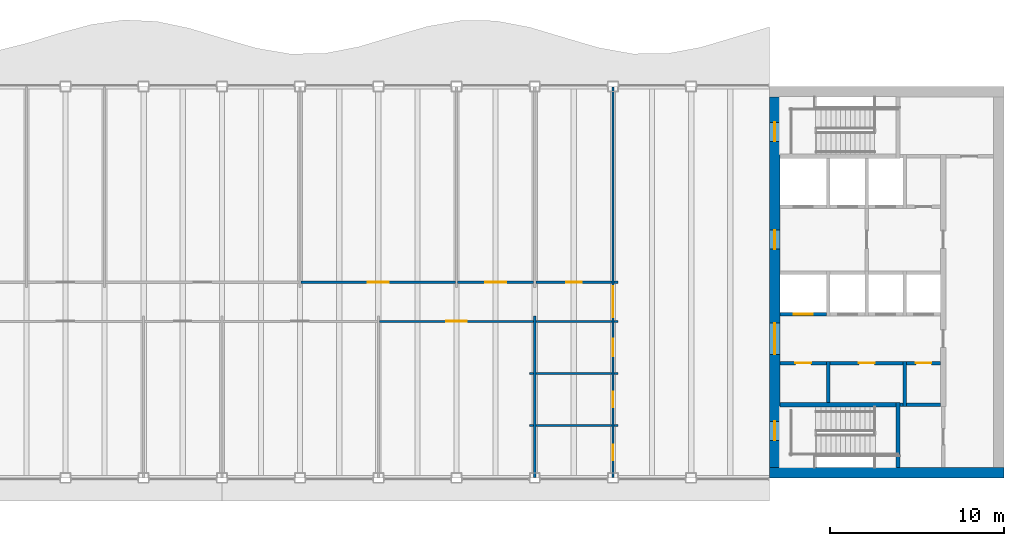
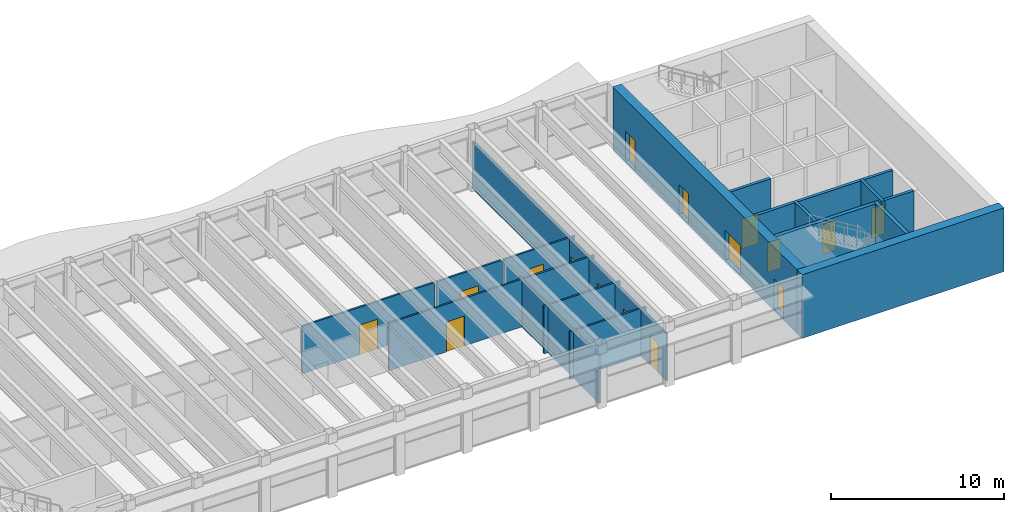
# One storey, part 9 of 14: 27 walls, 16 doors, 16 openings.
"""IFC4 building model written with IfcOpenShell, lengths in metres."""

import ifcopenshell
import ifcopenshell.guid

model = None  # the IFC model being written
_history = None  # IfcOwnerHistory: only IFC2X3 demands one
_inside = {}  # id of a spatial element -> (the spatial element, [elements in it])
_under = {}  # id of a project, library or spatial element -> (it, [spatial elements below it])
_declared = {}  # id of a project -> (the project, [libraries it declares])
_typed = {}  # id of a type object -> (the type object, [elements of that type])
_made_of = {}  # id of a material, layer set ... -> (it, [elements and type objects made of it])


def new_model(schema):
    """Start an empty IFC model of exactly this schema.

    Asked for "IFC4X3", IfcOpenShell would pick the latest addendum, in which some entities
    have other attributes; the version numbers below select the first issue.
    IFC2X3 requires an IfcOwnerHistory on every rooted entity: one is made here for all.
    """
    global model, _history
    if schema == "IFC4X3":
        model = ifcopenshell.file(schema_version=(4, 3, 0, 0))
    else:
        model = ifcopenshell.file(schema=schema)
    _inside.clear()
    _under.clear()
    _declared.clear()
    _typed.clear()
    _made_of.clear()
    _history = None
    if model.schema == "IFC2X3":
        org = make("IfcOrganization", Name="unknown")
        user = make(
            "IfcPersonAndOrganization",
            ThePerson=make("IfcPerson", FamilyName="unknown"),
            TheOrganization=org,
        )
        app = make(
            "IfcApplication",
            ApplicationDeveloper=org,
            Version="unknown",
            ApplicationFullName="unknown",
            ApplicationIdentifier="unknown",
        )
        _history = make(
            "IfcOwnerHistory",
            OwningUser=user,
            OwningApplication=app,
            ChangeAction="ADDED",
            CreationDate=0,
        )
    return model


def make(cls, **values):
    """One entity of the class cls with the attributes given. An attribute that is None is left unset."""
    return model.create_entity(
        cls, **{name: value for name, value in values.items() if value is not None}
    )


def rooted(cls, **values):
    """An entity with a GlobalId (a new one), such as an element, a storey or a relation."""
    return make(cls, GlobalId=ifcopenshell.guid.new(), OwnerHistory=_history, **values)


def si_unit(unit_type, name, prefix=None):
    """IfcSIUnit, for example si_unit("LENGTHUNIT", "METRE", prefix="MILLI")."""
    return make("IfcSIUnit", UnitType=unit_type, Prefix=prefix, Name=name)


def assignment(units):
    """IfcUnitAssignment: the units of a project."""
    return None if units is None else make("IfcUnitAssignment", Units=units)


def point(xyz):
    """IfcCartesianPoint."""
    return None if xyz is None else make("IfcCartesianPoint", Coordinates=xyz)


def direction(xyz):
    """IfcDirection."""
    return None if xyz is None else make("IfcDirection", DirectionRatios=xyz)


def frame(location, z_axis=None, x_axis=None):
    """IfcAxis2Placement3D, a coordinate frame: its origin and axes. An axis left out is left unset."""
    return make(
        "IfcAxis2Placement3D",
        Location=point(location),
        Axis=direction(z_axis),
        RefDirection=direction(x_axis),
    )


def frame_2d(location, x_axis=None):
    """IfcAxis2Placement2D, a coordinate frame in the plane: its origin and x axis."""
    return make(
        "IfcAxis2Placement2D", Location=point(location), RefDirection=direction(x_axis)
    )


def origin():
    """The frame at (0, 0, 0) with its axes left unset."""
    return frame((0.0, 0.0, 0.0))


def place(relative_to, where):
    """IfcLocalPlacement: puts the frame where relative to a parent placement (None: the world)."""
    return make(
        "IfcLocalPlacement", PlacementRelTo=relative_to, RelativePlacement=where
    )


def context(
    kind, dimensions, precision=None, world=None, true_north=None, identifier=None
):
    """IfcGeometricRepresentationContext, for example the 3D "Model" context."""
    return make(
        "IfcGeometricRepresentationContext",
        ContextIdentifier=identifier,
        ContextType=kind,
        CoordinateSpaceDimension=dimensions,
        Precision=precision,
        WorldCoordinateSystem=world,
        TrueNorth=true_north,
    )


def subcontext(parent, identifier, kind, view, scale=None):
    """IfcGeometricRepresentationSubContext, for example "Body" below "Model"."""
    return make(
        "IfcGeometricRepresentationSubContext",
        ContextIdentifier=identifier,
        ContextType=kind,
        ParentContext=parent,
        TargetScale=scale,
        TargetView=view,
    )


def project(units=None, contexts=None):
    """IfcProject with its units and contexts."""
    return rooted(
        "IfcProject",
        Name="project",
        RepresentationContexts=contexts,
        UnitsInContext=assignment(units),
    )


def spatial(cls, under=None, at=None, **own):
    """A site, building, storey or space (cls), placed at a placement, below another one or the project."""
    s = rooted(cls, ObjectPlacement=at, **own)
    if under is not None:
        _under.setdefault(under.id(), (under, []))[1].append(s)
    return s


def profile(cls, at=None, kind="AREA", **sizes):
    """A parametric profile (cls). Its sizes go by their IFC names, for example OverallWidth=200.0."""
    return make(cls, ProfileType=kind, Position=at, **sizes)


def rectangle(**sizes):
    """IfcRectangleProfileDef."""
    return profile("IfcRectangleProfileDef", **sizes)


def extrude(swept, where, along, depth):
    """IfcExtrudedAreaSolid: the profile swept, set in the frame where, extruded along a direction by depth."""
    return make(
        "IfcExtrudedAreaSolid",
        SweptArea=swept,
        Position=where,
        ExtrudedDirection=direction(along),
        Depth=depth,
    )


def shape(context_of_items, identifier, shape_type, items):
    """IfcShapeRepresentation: the items that make up one representation, for example the "Body"."""
    return make(
        "IfcShapeRepresentation",
        ContextOfItems=context_of_items,
        RepresentationIdentifier=identifier,
        RepresentationType=shape_type,
        Items=items,
    )


def material(Name=None, Category=None):
    """IfcMaterial."""
    return make("IfcMaterial", Name=Name, Category=Category)


def layer(
    of_material, thickness, ventilated=None, Name=None, Category=None, Priority=None
):
    """IfcMaterialLayer: one layer of a wall or slab, of a material (None: an air gap)."""
    return make(
        "IfcMaterialLayer",
        Material=of_material,
        LayerThickness=thickness,
        IsVentilated=ventilated,
        Name=Name,
        Category=Category,
        Priority=Priority,
    )


def layer_set(layers, Name=None):
    """IfcMaterialLayerSet."""
    return make("IfcMaterialLayerSet", MaterialLayers=layers, LayerSetName=Name)


def made_of(thing, what):
    """Note that an element or type object is made of a material, layer set ...; save() writes the relation."""
    if what is not None:
        _made_of.setdefault(what.id(), (what, []))[1].append(thing)
    return thing


def type_object(cls, material=None, **own):
    """A type object (cls), such as IfcWallType, which elements share."""
    return made_of(rooted(cls, **own), material)


def element(
    cls,
    number,
    at=None,
    inside=None,
    cuts=None,
    type_object=None,
    material=None,
    context=None,
    identifier="Body",
    shape_type=None,
    held_by="IfcProductDefinitionShape",
    body=None,
    shapes=None,
    **own,
):
    """One element of the class cls, such as IfcWall. Its Tag is "e" and its number.

    at: its placement. inside: the storey or other place that contains it. cuts: it is an
    opening in that element (IfcRelVoidsElement). A single representation is given by context,
    identifier, shape_type and body (its items); several are given by shapes. held_by: the class
    of the entity that holds the representations. save() writes the other relations.
    """
    e = rooted(cls, Tag="e%d" % number, ObjectPlacement=at, **own)
    if body is not None:
        shapes = [shape(context, identifier, shape_type, body)]
    if shapes is not None:
        e.Representation = make(held_by, Representations=shapes)
    if inside is not None:
        _inside.setdefault(inside.id(), (inside, []))[1].append(e)
    if cuts is not None:
        rooted(
            "IfcRelVoidsElement", RelatingBuildingElement=cuts, RelatedOpeningElement=e
        )
    if type_object is not None:
        _typed.setdefault(type_object.id(), (type_object, []))[1].append(e)
    return made_of(e, material)


def fill(opening, filler):
    """IfcRelFillsElement: the door or window that sits in an opening."""
    return rooted(
        "IfcRelFillsElement",
        RelatingOpeningElement=opening,
        RelatedBuildingElement=filler,
    )


def aggregate(whole, parts):
    """IfcRelAggregates: a whole, such as a stair, and the parts it consists of."""
    return rooted("IfcRelAggregates", RelatingObject=whole, RelatedObjects=parts)


def save(model, path):
    """Write the relations noted so far, then the file.

    IfcRelAggregates (storeys below a building ...), IfcRelContainedInSpatialStructure (elements
    in a storey), IfcRelDefinesByType, IfcRelAssociatesMaterial and IfcRelDeclares: one each for
    every whole, place, type object, material and project.
    """
    for whole, parts in _under.values():
        aggregate(whole, parts)
    for where, things in _inside.values():
        rooted(
            "IfcRelContainedInSpatialStructure",
            RelatedElements=things,
            RelatingStructure=where,
        )
    for kind, things in _typed.values():
        rooted("IfcRelDefinesByType", RelatedObjects=things, RelatingType=kind)
    for what, things in _made_of.values():
        rooted("IfcRelAssociatesMaterial", RelatedObjects=things, RelatingMaterial=what)
    for by, libraries in _declared.values():
        rooted("IfcRelDeclares", RelatingContext=by, RelatedDefinitions=libraries)
    model.write(path)


model = new_model("IFC4")

# Units and contexts
model_context = context("Model", 3, precision=1e-05, world=origin(), true_north=direction((0.0, 1.0)))
body_context = subcontext(model_context, "Body", "Model", "MODEL_VIEW")
ifc_project = project(units=[si_unit("LENGTHUNIT", "METRE"), si_unit("AREAUNIT", "SQUARE_METRE"), si_unit("VOLUMEUNIT", "CUBIC_METRE"), si_unit("PLANEANGLEUNIT", "RADIAN"), si_unit("MASSUNIT", "GRAM", prefix="KILO")], contexts=[model_context])

# Site, building, storey
site_placement = place(None, origin())
site = spatial("IfcSite", under=ifc_project, at=site_placement, CompositionType="ELEMENT")
building_placement = place(site_placement, origin())
building = spatial("IfcBuilding", under=site, at=building_placement, Name="Sennacour Bend Tower", CompositionType="ELEMENT")
storey_placement = place(building_placement, frame((0.0, 0.0, 314.0)))
storey = spatial("IfcBuildingStorey", under=building, at=storey_placement, Name="L72", CompositionType="ELEMENT", Elevation=314.0)

# Wall
ifc_material_1 = material(Name="Concrete C50/60", Category="concrete")
ifc_layer_1 = layer(ifc_material_1, 0.60009765625, Name="Concrete C50/60", Category="concrete")
ifc_layer_set_1 = layer_set([ifc_layer_1], Name="Concrete C50/60")
wall_type_1 = type_object("IfcWallType", Name="Core wall 600 C50/60", PredefinedType="SHEAR", material=ifc_layer_set_1)
wall_1_placement = place(storey_placement, frame((67.5, 0.300048828125, -0.14990234375), z_axis=(0.0, 0.0, 1.0), x_axis=(-1.0, 0.0, 0.0)))
element("IfcWall", 1, at=wall_1_placement, inside=storey, type_object=wall_type_1, Name="Core A wall L72 S", PredefinedType="SHEAR", context=body_context, shape_type="SweptSolid", body=[
    extrude(rectangle(XDim=13.5, YDim=0.60009765625, at=frame_2d((6.75, 0.0))), origin(), (0.0, 0.0, 1.0), 4.5),
])

# Wall, openings, doors
wall_2_placement = place(storey_placement, frame((54.300048828125, 0.60009765625, -0.14990234375), z_axis=(0.0, 0.0, 1.0), x_axis=(0.0, 1.0, 0.0)))
wall_2 = element("IfcWall", 2, at=wall_2_placement, inside=storey, type_object=wall_type_1, Name="Core A wall L72 W", PredefinedType="SHEAR", context=body_context, shape_type="SweptSolid", body=[
    extrude(rectangle(XDim=21.2998046875, YDim=0.60009765625, at=frame_2d((10.64990234375, 0.0))), origin(), (0.0, 0.0, 1.0), 4.5),
])
opening_1_placement = place(wall_2_placement, frame((6.5, 0.0, 0.14990234375)))
opening_1 = element("IfcOpeningElement", 3, at=opening_1_placement, cuts=wall_2, Name="Opening CD", PredefinedType="OPENING", context=body_context, shape_type="SweptSolid", body=[
    extrude(rectangle(XDim=1.800048828125, YDim=2.10009765625, at=frame_2d((0.89990234375, 1.050048828125))), frame((0.0, 0.31005859375, 0.0), z_axis=(0.0, -1.0, 0.0), x_axis=(1.0, 0.0, 0.0)), (0.0, 0.0, 1.0), 0.6201171875),
])
opening_2_placement = place(wall_2_placement, frame((12.550048828125, 0.0, 0.14990234375)))
opening_2 = element("IfcOpeningElement", 4, at=opening_2_placement, cuts=wall_2, Name="Opening FD", PredefinedType="OPENING", context=body_context, shape_type="SweptSolid", body=[
    extrude(rectangle(XDim=1.10009765625, YDim=2.10009765625, at=frame_2d((0.550048828125, 1.050048828125))), frame((0.0, 0.31005859375, 0.0), z_axis=(0.0, -1.0, 0.0), x_axis=(1.0, 0.0, 0.0)), (0.0, 0.0, 1.0), 0.6201171875),
])
opening_3_placement = place(wall_2_placement, frame((1.550048828125, 0.0, 0.14990234375)))
opening_3 = element("IfcOpeningElement", 5, at=opening_3_placement, cuts=wall_2, Name="Opening SD", PredefinedType="OPENING", context=body_context, shape_type="SweptSolid", body=[
    extrude(rectangle(XDim=1.10009765625, YDim=2.10009765625, at=frame_2d((0.550048828125, 1.050048828125))), frame((0.0, 0.31005859375, 0.0), z_axis=(0.0, -1.0, 0.0), x_axis=(1.0, 0.0, 0.0)), (0.0, 0.0, 1.0), 0.6201171875),
])
opening_4_placement = place(wall_2_placement, frame((18.75, 0.0, 0.14990234375)))
opening_4 = element("IfcOpeningElement", 6, at=opening_4_placement, cuts=wall_2, Name="Opening SD", PredefinedType="OPENING", context=body_context, shape_type="SweptSolid", body=[
    extrude(rectangle(XDim=1.10009765625, YDim=2.10009765625, at=frame_2d((0.550048828125, 1.050048828125))), frame((0.0, 0.31005859375, 0.0), z_axis=(0.0, -1.0, 0.0), x_axis=(1.0, 0.0, 0.0)), (0.0, 0.0, 1.0), 0.6201171875),
])
ifc_material_2 = material(Name="Painted steel", Category="steel")
door_type_1 = type_object("IfcDoorType", Name="DR-FFL-1100", OperationType="NOTDEFINED", PredefinedType="DOOR", material=ifc_material_2)
door_1_placement = place(opening_2_placement, origin())
door_1 = element("IfcDoor", 7, at=door_1_placement, inside=storey, type_object=door_type_1, Name="Door", OperationType="SINGLE_SWING_RIGHT", OverallHeight=2.10009765625, OverallWidth=1.10009765625, PredefinedType="DOOR", context=body_context, shape_type="SweptSolid", body=[
    extrude(rectangle(XDim=1.10009765625, YDim=2.10009765625, at=frame_2d((0.550048828125, 1.050048828125))), frame((0.0, 0.02490234375, 0.0), z_axis=(0.0, -1.0, 0.0), x_axis=(1.0, 0.0, 0.0)), (0.0, 0.0, 1.0), 0.050048828125),
])
fill(opening_2, door_1)
door_type_2 = type_object("IfcDoorType", Name="DR-LOBBY-1800", OperationType="NOTDEFINED", PredefinedType="DOOR", material=ifc_material_2)
door_2_placement = place(opening_1_placement, origin())
door_2 = element("IfcDoor", 8, at=door_2_placement, inside=storey, type_object=door_type_2, Name="Door", OperationType="DOUBLE_DOOR_SINGLE_SWING", OverallHeight=2.10009765625, OverallWidth=1.800048828125, PredefinedType="DOOR", context=body_context, shape_type="SweptSolid", body=[
    extrude(rectangle(XDim=1.800048828125, YDim=2.10009765625, at=frame_2d((0.89990234375, 1.050048828125))), frame((0.0, 0.02490234375, 0.0), z_axis=(0.0, -1.0, 0.0), x_axis=(1.0, 0.0, 0.0)), (0.0, 0.0, 1.0), 0.050048828125),
])
fill(opening_1, door_2)
door_type_3 = type_object("IfcDoorType", Name="DR-STAIR-1100", OperationType="NOTDEFINED", PredefinedType="DOOR", material=ifc_material_2)
door_3_placement = place(opening_3_placement, origin())
door_3 = element("IfcDoor", 9, at=door_3_placement, inside=storey, type_object=door_type_3, Name="Door", OperationType="SINGLE_SWING_LEFT", OverallHeight=2.10009765625, OverallWidth=1.10009765625, PredefinedType="DOOR", context=body_context, shape_type="SweptSolid", body=[
    extrude(rectangle(XDim=1.10009765625, YDim=2.10009765625, at=frame_2d((0.550048828125, 1.050048828125))), frame((0.0, 0.02490234375, 0.0), z_axis=(0.0, -1.0, 0.0), x_axis=(1.0, 0.0, 0.0)), (0.0, 0.0, 1.0), 0.050048828125),
])
fill(opening_3, door_3)
door_4_placement = place(opening_4_placement, origin())
door_4 = element("IfcDoor", 10, at=door_4_placement, inside=storey, type_object=door_type_3, Name="Door", OperationType="SINGLE_SWING_RIGHT", OverallHeight=2.10009765625, OverallWidth=1.10009765625, PredefinedType="DOOR", context=body_context, shape_type="SweptSolid", body=[
    extrude(rectangle(XDim=1.10009765625, YDim=2.10009765625, at=frame_2d((0.550048828125, 1.050048828125))), frame((0.0, 0.02490234375, 0.0), z_axis=(0.0, -1.0, 0.0), x_axis=(1.0, 0.0, 0.0)), (0.0, 0.0, 1.0), 0.050048828125),
])
fill(opening_4, door_4)

# Walls
ifc_material_3 = material(Name="Plasterboard partition on steel studs", Category="steel")
ifc_layer_2 = layer(ifc_material_3, 0.1201171875, Name="Plasterboard partition on steel studs", Category="steel")
ifc_layer_set_2 = layer_set([ifc_layer_2], Name="Plasterboard partition on steel studs")
wall_type_2 = type_object("IfcWallType", Name="Partition 120", PredefinedType="PARTITIONING", material=ifc_layer_set_2)
wall_3_placement = place(storey_placement, frame((40.5, 0.010009765625, 0.0), z_axis=(0.0, 0.0, 1.0), x_axis=(0.0, 1.0, 0.0)))
element("IfcWall", 11, at=wall_3_placement, inside=storey, type_object=wall_type_2, Name="P-L72-W013a", PredefinedType="PARTITIONING", context=body_context, shape_type="SweptSolid", body=[
    extrude(rectangle(XDim=9.2900390625, YDim=0.1201171875, at=frame_2d((4.64501953125, 0.0))), origin(), (0.0, 0.0, 1.0), 3.35888671875),
])
wall_4_placement = place(storey_placement, frame((40.199951171875, 3.0, 0.0), z_axis=(0.0, 0.0, 1.0), x_axis=(1.0, 0.0, 0.0)))
element("IfcWall", 12, at=wall_4_placement, inside=storey, type_object=wall_type_2, Name="P-L72-W031aa", PredefinedType="PARTITIONING", context=body_context, shape_type="SweptSolid", body=[
    extrude(rectangle(XDim=0.239990234375, YDim=0.1201171875, at=frame_2d((0.1201171875, 0.0))), origin(), (0.0, 0.0, 1.0), 3.35888671875),
])
wall_5_placement = place(storey_placement, frame((40.56005859375, 3.0, 0.0), z_axis=(0.0, 0.0, 1.0), x_axis=(1.0, 0.0, 0.0)))
element("IfcWall", 13, at=wall_5_placement, inside=storey, type_object=wall_type_2, Name="P-L72-W031ab", PredefinedType="PARTITIONING", context=body_context, shape_type="SweptSolid", body=[
    extrude(rectangle(XDim=4.3798828125, YDim=0.1201171875, at=frame_2d((2.18994140625, 0.0))), origin(), (0.0, 0.0, 1.0), 3.35888671875),
])
for number, where, z_axis, x_axis, name in (
    (14, (45.06005859375, 3.0, 0.0), (0.0, 0.0, 1.0), (1.0, 0.0, 0.0), "P-L72-W031ac"),
    (15, (40.199951171875, 6.0, 0.0), (0.0, 0.0, 1.0), (1.0, 0.0, 0.0), "P-L72-W036aa"),
):
    element("IfcWall", number, at=place(storey_placement, frame(where, z_axis=z_axis, x_axis=x_axis)), inside=storey, type_object=wall_type_2, Name=name, PredefinedType="PARTITIONING", context=body_context, shape_type="SweptSolid", body=[
        extrude(rectangle(XDim=0.239990234375, YDim=0.1201171875, at=frame_2d((0.1201171875, 0.0))), origin(), (0.0, 0.0, 1.0), 3.35888671875),
    ])
wall_6_placement = place(storey_placement, frame((40.56005859375, 6.0, 0.0), z_axis=(0.0, 0.0, 1.0), x_axis=(1.0, 0.0, 0.0)))
element("IfcWall", 16, at=wall_6_placement, inside=storey, type_object=wall_type_2, Name="P-L72-W036ab", PredefinedType="PARTITIONING", context=body_context, shape_type="SweptSolid", body=[
    extrude(rectangle(XDim=4.3798828125, YDim=0.1201171875, at=frame_2d((2.18994140625, 0.0))), origin(), (0.0, 0.0, 1.0), 3.35888671875),
])
wall_7_placement = place(storey_placement, frame((45.06005859375, 6.0, 0.0), z_axis=(0.0, 0.0, 1.0), x_axis=(1.0, 0.0, 0.0)))
element("IfcWall", 17, at=wall_7_placement, inside=storey, type_object=wall_type_2, Name="P-L72-W036ac", PredefinedType="PARTITIONING", context=body_context, shape_type="SweptSolid", body=[
    extrude(rectangle(XDim=0.239990234375, YDim=0.1201171875, at=frame_2d((0.1201171875, 0.0))), origin(), (0.0, 0.0, 1.0), 3.35888671875),
])

# Wall, opening, door
wall_8_placement = place(storey_placement, frame((31.56005859375, 9.0, 0.0), z_axis=(0.0, 0.0, 1.0), x_axis=(1.0, 0.0, 0.0)))
wall_8 = element("IfcWall", 18, at=wall_8_placement, inside=storey, type_object=wall_type_2, Name="P-L72-W038ae", PredefinedType="PARTITIONING", context=body_context, shape_type="SweptSolid", body=[
    extrude(rectangle(XDim=8.8798828125, YDim=0.1201171875, at=frame_2d((4.43994140625, 0.0))), origin(), (0.0, 0.0, 1.0), 3.35888671875),
])
opening_5_placement = place(wall_8_placement, frame((3.83984375, 0.0, 0.0)))
opening_5 = element("IfcOpeningElement", 19, at=opening_5_placement, cuts=wall_8, Name="Opening MD", PredefinedType="OPENING", context=body_context, shape_type="SweptSolid", body=[
    extrude(rectangle(XDim=1.199951171875, YDim=2.10009765625, at=frame_2d((0.60009765625, 1.050048828125))), frame((0.0, 0.070068359375, 0.0), z_axis=(0.0, -1.0, 0.0), x_axis=(1.0, 0.0, 0.0)), (0.0, 0.0, 1.0), 0.14013671875),
])
ifc_material_4 = material(Name="Timber", Category="wood")
door_type_4 = type_object("IfcDoorType", Name="DR-MEETING-1200", OperationType="NOTDEFINED", PredefinedType="DOOR", material=ifc_material_4)
door_5_placement = place(opening_5_placement, origin())
door_5 = element("IfcDoor", 20, at=door_5_placement, inside=storey, type_object=door_type_4, Name="Door", OperationType="SINGLE_SWING_LEFT", OverallHeight=2.10009765625, OverallWidth=1.199951171875, PredefinedType="DOOR", context=body_context, shape_type="SweptSolid", body=[
    extrude(rectangle(XDim=1.199951171875, YDim=2.10009765625, at=frame_2d((0.60009765625, 1.050048828125))), frame((0.0, 0.02490234375, 0.0), z_axis=(0.0, -1.0, 0.0), x_axis=(1.0, 0.0, 0.0)), (0.0, 0.0, 1.0), 0.050048828125),
])
fill(opening_5, door_5)

# Walls
wall_9_placement = place(storey_placement, frame((40.56005859375, 9.0, 0.0), z_axis=(0.0, 0.0, 1.0), x_axis=(1.0, 0.0, 0.0)))
element("IfcWall", 21, at=wall_9_placement, inside=storey, type_object=wall_type_2, Name="P-L72-W038af", PredefinedType="PARTITIONING", context=body_context, shape_type="SweptSolid", body=[
    extrude(rectangle(XDim=4.3798828125, YDim=0.1201171875, at=frame_2d((2.18994140625, 0.0))), origin(), (0.0, 0.0, 1.0), 3.35888671875),
])
wall_10_placement = place(storey_placement, frame((45.06005859375, 9.0, 0.0), z_axis=(0.0, 0.0, 1.0), x_axis=(1.0, 0.0, 0.0)))
element("IfcWall", 22, at=wall_10_placement, inside=storey, type_object=wall_type_2, Name="P-L72-W038ag", PredefinedType="PARTITIONING", context=body_context, shape_type="SweptSolid", body=[
    extrude(rectangle(XDim=0.239990234375, YDim=0.1201171875, at=frame_2d((0.1201171875, 0.0))), origin(), (0.0, 0.0, 1.0), 3.35888671875),
])

# Wall, opening, door
wall_11_placement = place(storey_placement, frame((27.06005859375, 11.25, 0.0), z_axis=(0.0, 0.0, 1.0), x_axis=(1.0, 0.0, 0.0)))
wall_11 = element("IfcWall", 23, at=wall_11_placement, inside=storey, type_object=wall_type_2, Name="P-L72-W040ad", PredefinedType="PARTITIONING", context=body_context, shape_type="SweptSolid", body=[
    extrude(rectangle(XDim=8.8798828125, YDim=0.1201171875, at=frame_2d((4.43994140625, 0.0))), origin(), (0.0, 0.0, 1.0), 3.35888671875),
])
opening_6_placement = place(wall_11_placement, frame((3.83984375, 0.0, 0.0)))
opening_6 = element("IfcOpeningElement", 24, at=opening_6_placement, cuts=wall_11, Name="Opening MD", PredefinedType="OPENING", context=body_context, shape_type="SweptSolid", body=[
    extrude(rectangle(XDim=1.199951171875, YDim=2.10009765625, at=frame_2d((0.60009765625, 1.050048828125))), frame((0.0, 0.070068359375, 0.0), z_axis=(0.0, -1.0, 0.0), x_axis=(1.0, 0.0, 0.0)), (0.0, 0.0, 1.0), 0.14013671875),
])
door_6_placement = place(opening_6_placement, origin())
door_6 = element("IfcDoor", 25, at=door_6_placement, inside=storey, type_object=door_type_4, Name="Door", OperationType="SINGLE_SWING_LEFT", OverallHeight=2.10009765625, OverallWidth=1.199951171875, PredefinedType="DOOR", context=body_context, shape_type="SweptSolid", body=[
    extrude(rectangle(XDim=1.199951171875, YDim=2.10009765625, at=frame_2d((0.60009765625, 1.050048828125))), frame((0.0, 0.02490234375, 0.0), z_axis=(0.0, -1.0, 0.0), x_axis=(1.0, 0.0, 0.0)), (0.0, 0.0, 1.0), 0.050048828125),
])
fill(opening_6, door_6)

# Wall
wall_12_placement = place(storey_placement, frame((45.06005859375, 11.25, 0.0), z_axis=(0.0, 0.0, 1.0), x_axis=(1.0, 0.0, 0.0)))
element("IfcWall", 26, at=wall_12_placement, inside=storey, type_object=wall_type_2, Name="P-L72-W040ag", PredefinedType="PARTITIONING", context=body_context, shape_type="SweptSolid", body=[
    extrude(rectangle(XDim=0.239990234375, YDim=0.1201171875, at=frame_2d((0.1201171875, 0.0))), origin(), (0.0, 0.0, 1.0), 3.35888671875),
])

# Wall, openings, doors
ifc_layer_3 = layer(ifc_material_3, 0.1201171875, Name="Plasterboard partition on steel studs", Category="steel")
ifc_layer_set_3 = layer_set([ifc_layer_3], Name="Plasterboard partition on steel studs")
wall_type_3 = type_object("IfcWallType", Name="Partition 120 EI 30", PredefinedType="PARTITIONING", material=ifc_layer_set_3)
wall_13_placement = place(storey_placement, frame((45.0, 0.010009765625, 0.0), z_axis=(0.0, 0.0, 1.0), x_axis=(0.0, 1.0, 0.0)))
wall_13 = element("IfcWall", 27, at=wall_13_placement, inside=storey, type_object=wall_type_3, Name="P-L72-W015a", PredefinedType="PARTITIONING", context=body_context, shape_type="SweptSolid", body=[
    extrude(rectangle(XDim=22.47998046875, YDim=0.1201171875, at=frame_2d((11.239990234375, 0.0))), origin(), (0.0, 0.0, 1.0), 3.35888671875),
])
opening_7_placement = place(wall_13_placement, frame((9.215087890625, 0.0, 0.0)))
opening_7 = element("IfcOpeningElement", 28, at=opening_7_placement, cuts=wall_13, Name="Opening KD3", PredefinedType="OPENING", context=body_context, shape_type="SweptSolid", body=[
    extrude(rectangle(XDim=1.800048828125, YDim=2.10009765625, at=frame_2d((0.89990234375, 1.050048828125))), frame((0.0, 0.070068359375, 0.0), z_axis=(0.0, -1.0, 0.0), x_axis=(1.0, 0.0, 0.0)), (0.0, 0.0, 1.0), 0.14013671875),
])
opening_8_placement = place(wall_13_placement, frame((0.989990234375, 0.0, 0.0)))
opening_8 = element("IfcOpeningElement", 29, at=opening_8_placement, cuts=wall_13, Name="Opening WD", PredefinedType="OPENING", context=body_context, shape_type="SweptSolid", body=[
    extrude(rectangle(XDim=0.89990234375, YDim=2.10009765625, at=frame_2d((0.449951171875, 1.050048828125))), frame((0.0, 0.070068359375, 0.0), z_axis=(0.0, -1.0, 0.0), x_axis=(1.0, 0.0, 0.0)), (0.0, 0.0, 1.0), 0.14013671875),
])
opening_9_placement = place(wall_13_placement, frame((4.0400390625, 0.0, 0.0)))
opening_9 = element("IfcOpeningElement", 30, at=opening_9_placement, cuts=wall_13, Name="Opening WD", PredefinedType="OPENING", context=body_context, shape_type="SweptSolid", body=[
    extrude(rectangle(XDim=0.89990234375, YDim=2.10009765625, at=frame_2d((0.449951171875, 1.050048828125))), frame((0.0, 0.070068359375, 0.0), z_axis=(0.0, -1.0, 0.0), x_axis=(1.0, 0.0, 0.0)), (0.0, 0.0, 1.0), 0.14013671875),
])
opening_10_placement = place(wall_13_placement, frame((6.989990234375, 0.0, 0.0)))
opening_10 = element("IfcOpeningElement", 31, at=opening_10_placement, cuts=wall_13, Name="Opening AD", PredefinedType="OPENING", context=body_context, shape_type="SweptSolid", body=[
    extrude(rectangle(XDim=1.0, YDim=2.10009765625, at=frame_2d((0.5, 1.050048828125))), frame((0.0, 0.070068359375, 0.0), z_axis=(0.0, -1.0, 0.0), x_axis=(1.0, 0.0, 0.0)), (0.0, 0.0, 1.0), 0.14013671875),
])
door_type_5 = type_object("IfcDoorType", Name="DR-ACC-WC-1000", OperationType="NOTDEFINED", PredefinedType="DOOR", material=ifc_material_4)
door_7_placement = place(opening_10_placement, origin())
door_7 = element("IfcDoor", 32, at=door_7_placement, inside=storey, type_object=door_type_5, Name="Door", OperationType="SINGLE_SWING_LEFT", OverallHeight=2.10009765625, OverallWidth=1.0, PredefinedType="DOOR", context=body_context, shape_type="SweptSolid", body=[
    extrude(rectangle(XDim=1.0, YDim=2.10009765625, at=frame_2d((0.5, 1.050048828125))), frame((0.0, 0.02490234375, 0.0), z_axis=(0.0, -1.0, 0.0), x_axis=(1.0, 0.0, 0.0)), (0.0, 0.0, 1.0), 0.050048828125),
])
fill(opening_10, door_7)
door_type_6 = type_object("IfcDoorType", Name="DR-CORRIDOR-1800", OperationType="NOTDEFINED", PredefinedType="DOOR", material=ifc_material_2)
door_8_placement = place(opening_7_placement, origin())
door_8 = element("IfcDoor", 33, at=door_8_placement, inside=storey, type_object=door_type_6, Name="Door", OperationType="DOUBLE_DOOR_SINGLE_SWING", OverallHeight=2.10009765625, OverallWidth=1.800048828125, PredefinedType="DOOR", context=body_context, shape_type="SweptSolid", body=[
    extrude(rectangle(XDim=1.800048828125, YDim=2.10009765625, at=frame_2d((0.89990234375, 1.050048828125))), frame((0.0, 0.02490234375, 0.0), z_axis=(0.0, -1.0, 0.0), x_axis=(1.0, 0.0, 0.0)), (0.0, 0.0, 1.0), 0.050048828125),
])
fill(opening_7, door_8)
door_type_7 = type_object("IfcDoorType", Name="DR-WC-900", OperationType="NOTDEFINED", PredefinedType="DOOR", material=ifc_material_4)
door_9_placement = place(opening_8_placement, origin())
door_9 = element("IfcDoor", 34, at=door_9_placement, inside=storey, type_object=door_type_7, Name="Door", OperationType="SINGLE_SWING_LEFT", OverallHeight=2.10009765625, OverallWidth=0.89990234375, PredefinedType="DOOR", context=body_context, shape_type="SweptSolid", body=[
    extrude(rectangle(XDim=0.89990234375, YDim=2.10009765625, at=frame_2d((0.449951171875, 1.050048828125))), frame((0.0, 0.02490234375, 0.0), z_axis=(0.0, -1.0, 0.0), x_axis=(1.0, 0.0, 0.0)), (0.0, 0.0, 1.0), 0.050048828125),
])
fill(opening_8, door_9)
door_10_placement = place(opening_9_placement, origin())
door_10 = element("IfcDoor", 35, at=door_10_placement, inside=storey, type_object=door_type_7, Name="Door", OperationType="SINGLE_SWING_LEFT", OverallHeight=2.10009765625, OverallWidth=0.89990234375, PredefinedType="DOOR", context=body_context, shape_type="SweptSolid", body=[
    extrude(rectangle(XDim=0.89990234375, YDim=2.10009765625, at=frame_2d((0.449951171875, 1.050048828125))), frame((0.0, 0.02490234375, 0.0), z_axis=(0.0, -1.0, 0.0), x_axis=(1.0, 0.0, 0.0)), (0.0, 0.0, 1.0), 0.050048828125),
])
fill(opening_9, door_10)

# Wall, opening, door
ifc_layer_4 = layer(ifc_material_3, 0.1201171875, Name="Plasterboard partition on steel studs", Category="steel")
ifc_layer_set_4 = layer_set([ifc_layer_4], Name="Plasterboard partition on steel studs")
wall_type_4 = type_object("IfcWallType", Name="Partition 120 EI 60", PredefinedType="PARTITIONING", material=ifc_layer_set_4)
wall_14_placement = place(storey_placement, frame((36.06005859375, 11.25, 0.0), z_axis=(0.0, 0.0, 1.0), x_axis=(1.0, 0.0, 0.0)))
wall_14 = element("IfcWall", 36, at=wall_14_placement, inside=storey, type_object=wall_type_4, Name="P-L72-W040ae", PredefinedType="PARTITIONING", context=body_context, shape_type="SweptSolid", body=[
    extrude(rectangle(XDim=4.3798828125, YDim=0.1201171875, at=frame_2d((2.18994140625, 0.0))), origin(), (0.0, 0.0, 1.0), 3.35888671875),
])
opening_11_placement = place(wall_14_placement, frame((1.58984375, 0.0, 0.0)))
opening_11 = element("IfcOpeningElement", 37, at=opening_11_placement, cuts=wall_14, Name="Opening SV5", PredefinedType="OPENING", context=body_context, shape_type="SweptSolid", body=[
    extrude(rectangle(XDim=1.199951171875, YDim=2.10009765625, at=frame_2d((0.60009765625, 1.050048828125))), frame((0.0, 0.070068359375, 0.0), z_axis=(0.0, -1.0, 0.0), x_axis=(1.0, 0.0, 0.0)), (0.0, 0.0, 1.0), 0.14013671875),
])
door_type_8 = type_object("IfcDoorType", Name="DR-SERVICE-1200", OperationType="NOTDEFINED", PredefinedType="DOOR", material=ifc_material_2)
door_11_placement = place(opening_11_placement, origin())
door_11 = element("IfcDoor", 38, at=door_11_placement, inside=storey, type_object=door_type_8, Name="Door", OperationType="SINGLE_SWING_LEFT", OverallHeight=2.10009765625, OverallWidth=1.199951171875, PredefinedType="DOOR", context=body_context, shape_type="SweptSolid", body=[
    extrude(rectangle(XDim=1.199951171875, YDim=2.10009765625, at=frame_2d((0.60009765625, 1.050048828125))), frame((0.0, 0.02490234375, 0.0), z_axis=(0.0, -1.0, 0.0), x_axis=(1.0, 0.0, 0.0)), (0.0, 0.0, 1.0), 0.050048828125),
])
fill(opening_11, door_11)

wall_15_placement = place(storey_placement, frame((40.56005859375, 11.25, 0.0), z_axis=(0.0, 0.0, 1.0), x_axis=(1.0, 0.0, 0.0)))
wall_15 = element("IfcWall", 39, at=wall_15_placement, inside=storey, type_object=wall_type_4, Name="P-L72-W040af", PredefinedType="PARTITIONING", context=body_context, shape_type="SweptSolid", body=[
    extrude(rectangle(XDim=4.3798828125, YDim=0.1201171875, at=frame_2d((2.18994140625, 0.0))), origin(), (0.0, 0.0, 1.0), 3.35888671875),
])
opening_12_placement = place(wall_15_placement, frame((1.739990234375, 0.0, 0.0)))
opening_12 = element("IfcOpeningElement", 40, at=opening_12_placement, cuts=wall_15, Name="Opening SV", PredefinedType="OPENING", context=body_context, shape_type="SweptSolid", body=[
    extrude(rectangle(XDim=0.89990234375, YDim=2.10009765625, at=frame_2d((0.449951171875, 1.050048828125))), frame((0.0, 0.070068359375, 0.0), z_axis=(0.0, -1.0, 0.0), x_axis=(1.0, 0.0, 0.0)), (0.0, 0.0, 1.0), 0.14013671875),
])
door_type_9 = type_object("IfcDoorType", Name="DR-SERVICE-900", OperationType="NOTDEFINED", PredefinedType="DOOR", material=ifc_material_2)
door_12_placement = place(opening_12_placement, origin())
door_12 = element("IfcDoor", 41, at=door_12_placement, inside=storey, type_object=door_type_9, Name="Door", OperationType="SINGLE_SWING_LEFT", OverallHeight=2.10009765625, OverallWidth=0.89990234375, PredefinedType="DOOR", context=body_context, shape_type="SweptSolid", body=[
    extrude(rectangle(XDim=0.89990234375, YDim=2.10009765625, at=frame_2d((0.449951171875, 1.050048828125))), frame((0.0, 0.02490234375, 0.0), z_axis=(0.0, -1.0, 0.0), x_axis=(1.0, 0.0, 0.0)), (0.0, 0.0, 1.0), 0.050048828125),
])
fill(opening_12, door_12)

# Walls
ifc_material_5 = material(Name="Fire-rated plasterboard partition on steel studs", Category="steel")
ifc_layer_5 = layer(ifc_material_5, 0.199951171875, Name="Fire-rated plasterboard partition on steel studs", Category="steel")
ifc_layer_set_5 = layer_set([ifc_layer_5], Name="Fire-rated plasterboard partition on steel studs")
wall_type_5 = type_object("IfcWallType", Name="Rated partition 200", PredefinedType="PARTITIONING", material=ifc_layer_set_5)
wall_16_placement = place(storey_placement, frame((57.39990234375, 4.324951171875, 0.0), z_axis=(0.0, 0.0, 1.0), x_axis=(0.0, 1.0, 0.0)))
element("IfcWall", 42, at=wall_16_placement, inside=storey, type_object=wall_type_5, Name="P-L72-W016", PredefinedType="PARTITIONING", context=body_context, shape_type="SweptSolid", body=[
    extrude(rectangle(XDim=2.375, YDim=0.199951171875, at=frame_2d((1.1875, 0.0))), origin(), (0.0, 0.0, 1.0), 4.35009765625),
])
wall_17_placement = place(storey_placement, frame((61.800048828125, 4.10009765625, 0.0), z_axis=(0.0, 0.0, 1.0), x_axis=(0.0, 1.0, 0.0)))
element("IfcWall", 43, at=wall_17_placement, inside=storey, type_object=wall_type_5, Name="P-L72-W024", PredefinedType="PARTITIONING", context=body_context, shape_type="SweptSolid", body=[
    extrude(rectangle(XDim=2.599853515625, YDim=0.199951171875, at=frame_2d((1.2998046875, 0.0))), origin(), (0.0, 0.0, 1.0), 4.35009765625),
])
wall_18_placement = place(storey_placement, frame((61.52490234375, 4.199951171875, 0.0), z_axis=(0.0, 0.0, 1.0), x_axis=(1.0, 0.0, 0.0)))
element("IfcWall", 44, at=wall_18_placement, inside=storey, type_object=wall_type_5, Name="P-L72-W035a", PredefinedType="PARTITIONING", context=body_context, shape_type="SweptSolid", body=[
    extrude(rectangle(XDim=0.175048828125, YDim=0.199951171875, at=frame_2d((0.08740234375, 0.0))), origin(), (0.0, 0.0, 1.0), 4.35009765625),
])
wall_19_placement = place(storey_placement, frame((61.89990234375, 4.199951171875, 0.0), z_axis=(0.0, 0.0, 1.0), x_axis=(1.0, 0.0, 0.0)))
element("IfcWall", 45, at=wall_19_placement, inside=storey, type_object=wall_type_5, Name="P-L72-W035b", PredefinedType="PARTITIONING", context=body_context, shape_type="SweptSolid", body=[
    extrude(rectangle(XDim=1.9501953125, YDim=0.199951171875, at=frame_2d((0.97509765625, 0.0))), origin(), (0.0, 0.0, 1.0), 4.35009765625),
])

# Wall, opening, door
wall_20_placement = place(storey_placement, frame((54.60009765625, 6.60009765625, 0.0), z_axis=(0.0, 0.0, 1.0), x_axis=(1.0, 0.0, 0.0)))
wall_20 = element("IfcWall", 46, at=wall_20_placement, inside=storey, type_object=wall_type_5, Name="P-L72-W037a", PredefinedType="PARTITIONING", context=body_context, shape_type="SweptSolid", body=[
    extrude(rectangle(XDim=2.699951171875, YDim=0.199951171875, at=frame_2d((1.35009765625, 0.0))), origin(), (0.0, 0.0, 1.0), 4.35009765625),
])
opening_13_placement = place(wall_20_placement, frame((0.89990234375, 0.0, 0.0)))
opening_13 = element("IfcOpeningElement", 47, at=opening_13_placement, cuts=wall_20, Name="Opening SV", PredefinedType="OPENING", context=body_context, shape_type="SweptSolid", body=[
    extrude(rectangle(XDim=0.89990234375, YDim=2.10009765625, at=frame_2d((0.449951171875, 1.050048828125))), frame((0.0, 0.10986328125, 0.0), z_axis=(0.0, -1.0, 0.0), x_axis=(1.0, 0.0, 0.0)), (0.0, 0.0, 1.0), 0.219970703125),
])
door_13_placement = place(opening_13_placement, origin())
door_13 = element("IfcDoor", 48, at=door_13_placement, inside=storey, type_object=door_type_9, Name="Door", OperationType="SINGLE_SWING_LEFT", OverallHeight=2.10009765625, OverallWidth=0.89990234375, PredefinedType="DOOR", context=body_context, shape_type="SweptSolid", body=[
    extrude(rectangle(XDim=0.89990234375, YDim=2.10009765625, at=frame_2d((0.449951171875, 1.050048828125))), frame((0.0, 0.02490234375, 0.0), z_axis=(0.0, -1.0, 0.0), x_axis=(1.0, 0.0, 0.0)), (0.0, 0.0, 1.0), 0.050048828125),
])
fill(opening_13, door_13)

wall_21_placement = place(storey_placement, frame((57.5, 6.60009765625, 0.0), z_axis=(0.0, 0.0, 1.0), x_axis=(1.0, 0.0, 0.0)))
wall_21 = element("IfcWall", 49, at=wall_21_placement, inside=storey, type_object=wall_type_5, Name="P-L72-W037b", PredefinedType="PARTITIONING", context=body_context, shape_type="SweptSolid", body=[
    extrude(rectangle(XDim=4.199951171875, YDim=0.199951171875, at=frame_2d((2.10009765625, 0.0))), origin(), (0.0, 0.0, 1.0), 4.35009765625),
])
opening_14_placement = place(wall_21_placement, frame((1.64990234375, 0.0, 0.0)))
opening_14 = element("IfcOpeningElement", 50, at=opening_14_placement, cuts=wall_21, Name="Opening WD", PredefinedType="OPENING", context=body_context, shape_type="SweptSolid", body=[
    extrude(rectangle(XDim=0.89990234375, YDim=2.10009765625, at=frame_2d((0.449951171875, 1.050048828125))), frame((0.0, 0.10986328125, 0.0), z_axis=(0.0, -1.0, 0.0), x_axis=(1.0, 0.0, 0.0)), (0.0, 0.0, 1.0), 0.219970703125),
])
door_14_placement = place(opening_14_placement, origin())
door_14 = element("IfcDoor", 51, at=door_14_placement, inside=storey, type_object=door_type_7, Name="Door", OperationType="SINGLE_SWING_RIGHT", OverallHeight=2.10009765625, OverallWidth=0.89990234375, PredefinedType="DOOR", context=body_context, shape_type="SweptSolid", body=[
    extrude(rectangle(XDim=0.89990234375, YDim=2.10009765625, at=frame_2d((0.449951171875, 1.050048828125))), frame((0.0, 0.02490234375, 0.0), z_axis=(0.0, -1.0, 0.0), x_axis=(1.0, 0.0, 0.0)), (0.0, 0.0, 1.0), 0.050048828125),
])
fill(opening_14, door_14)

wall_22_placement = place(storey_placement, frame((61.89990234375, 6.60009765625, 0.0), z_axis=(0.0, 0.0, 1.0), x_axis=(1.0, 0.0, 0.0)))
wall_22 = element("IfcWall", 52, at=wall_22_placement, inside=storey, type_object=wall_type_5, Name="P-L72-W037c", PredefinedType="PARTITIONING", context=body_context, shape_type="SweptSolid", body=[
    extrude(rectangle(XDim=1.9501953125, YDim=0.199951171875, at=frame_2d((0.97509765625, 0.0))), origin(), (0.0, 0.0, 1.0), 4.35009765625),
])
opening_15_placement = place(wall_22_placement, frame((0.525146484375, 0.0, 0.0)))
opening_15 = element("IfcOpeningElement", 53, at=opening_15_placement, cuts=wall_22, Name="Opening SV", PredefinedType="OPENING", context=body_context, shape_type="SweptSolid", body=[
    extrude(rectangle(XDim=0.89990234375, YDim=2.10009765625, at=frame_2d((0.449951171875, 1.050048828125))), frame((0.0, 0.10986328125, 0.0), z_axis=(0.0, -1.0, 0.0), x_axis=(1.0, 0.0, 0.0)), (0.0, 0.0, 1.0), 0.219970703125),
])
door_15_placement = place(opening_15_placement, origin())
door_15 = element("IfcDoor", 54, at=door_15_placement, inside=storey, type_object=door_type_9, Name="Door", OperationType="SINGLE_SWING_LEFT", OverallHeight=2.10009765625, OverallWidth=0.89990234375, PredefinedType="DOOR", context=body_context, shape_type="SweptSolid", body=[
    extrude(rectangle(XDim=0.89990234375, YDim=2.10009765625, at=frame_2d((0.449951171875, 1.050048828125))), frame((0.0, 0.02490234375, 0.0), z_axis=(0.0, -1.0, 0.0), x_axis=(1.0, 0.0, 0.0)), (0.0, 0.0, 1.0), 0.050048828125),
])
fill(opening_15, door_15)

ifc_layer_6 = layer(ifc_material_1, 0.199951171875, Name="Concrete C50/60", Category="concrete")
ifc_layer_set_6 = layer_set([ifc_layer_6], Name="Concrete C50/60")
wall_type_6 = type_object("IfcWallType", Name="Shaft wall 200", PredefinedType="SOLIDWALL", material=ifc_layer_set_6)
wall_23_placement = place(storey_placement, frame((54.60009765625, 9.39990234375, 0.0), z_axis=(0.0, 0.0, 1.0), x_axis=(1.0, 0.0, 0.0)))
wall_23 = element("IfcWall", 55, at=wall_23_placement, inside=storey, type_object=wall_type_6, Name="P-L72-W039a", PredefinedType="SOLIDWALL", context=body_context, shape_type="SweptSolid", body=[
    extrude(rectangle(XDim=2.699951171875, YDim=0.199951171875, at=frame_2d((1.35009765625, 0.0))), origin(), (0.0, 0.0, 1.0), 4.35009765625),
])
opening_16_placement = place(wall_23_placement, frame((0.7998046875, 0.0, 0.011962890625)))
opening_16 = element("IfcOpeningElement", 56, at=opening_16_placement, cuts=wall_23, Name="Opening LD", PredefinedType="OPENING", context=body_context, shape_type="SweptSolid", body=[
    extrude(rectangle(XDim=1.10009765625, YDim=2.10009765625, at=frame_2d((0.550048828125, 1.050048828125))), frame((0.0, 0.10986328125, 0.0), z_axis=(0.0, -1.0, 0.0), x_axis=(1.0, 0.0, 0.0)), (0.0, 0.0, 1.0), 0.219970703125),
])
ifc_material_6 = material(Name="Stainless steel", Category="steel")
door_type_10 = type_object("IfcDoorType", Name="DR-LANDING-1100", OperationType="NOTDEFINED", PredefinedType="DOOR", material=ifc_material_6)
door_16_placement = place(opening_16_placement, origin())
door_16 = element("IfcDoor", 57, at=door_16_placement, inside=storey, type_object=door_type_10, Name="Lift landing door HA1", OperationType="SLIDING_TO_LEFT", OverallHeight=2.10009765625, OverallWidth=1.10009765625, PredefinedType="DOOR", context=body_context, shape_type="SweptSolid", body=[
    extrude(rectangle(XDim=1.10009765625, YDim=2.10009765625, at=frame_2d((0.550048828125, 1.050048828125))), frame((0.0, 0.02490234375, 0.0), z_axis=(0.0, -1.0, 0.0), x_axis=(1.0, 0.0, 0.0)), (0.0, 0.0, 1.0), 0.050048828125),
])
fill(opening_16, door_16)

# Walls
ifc_material_7 = material(Name="Concrete C60/75", Category="concrete")
ifc_layer_7 = layer(ifc_material_7, 0.25, Name="Concrete C60/75", Category="concrete")
ifc_layer_set_7 = layer_set([ifc_layer_7], Name="Concrete C60/75")
wall_type_7 = type_object("IfcWallType", Name="Stair wall 250", PredefinedType="SHEAR", material=ifc_layer_set_7)
wall_24_placement = place(storey_placement, frame((61.39990234375, 0.60009765625, 0.0), z_axis=(0.0, 0.0, 1.0), x_axis=(0.0, 1.0, 0.0)))
element("IfcWall", 58, at=wall_24_placement, inside=storey, type_object=wall_type_7, Name="P-L72-W022", PredefinedType="SHEAR", context=body_context, shape_type="SweptSolid", body=[
    extrude(rectangle(XDim=3.724853515625, YDim=0.25, at=frame_2d((1.8623046875, 0.0))), origin(), (0.0, 0.0, 1.0), 4.35009765625),
])
wall_25_placement = place(storey_placement, frame((54.60009765625, 4.199951171875, 0.0), z_axis=(0.0, 0.0, 1.0), x_axis=(1.0, 0.0, 0.0)))
element("IfcWall", 59, at=wall_25_placement, inside=storey, type_object=wall_type_7, Name="P-L72-W034", PredefinedType="SHEAR", context=body_context, shape_type="SweptSolid", body=[
    extrude(rectangle(XDim=6.6748046875, YDim=0.25, at=frame_2d((3.33740234375, 0.0))), origin(), (0.0, 0.0, 1.0), 4.35009765625),
])

save(model, "model.ifc")
